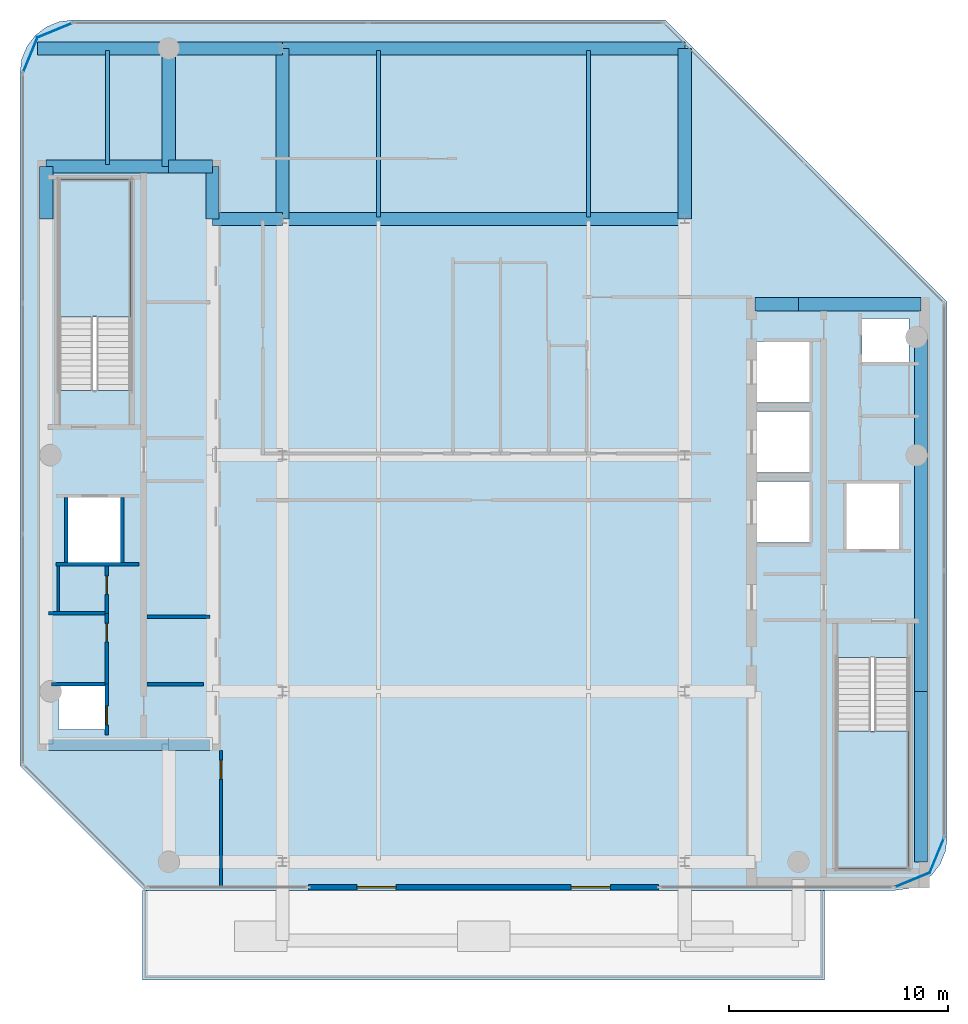
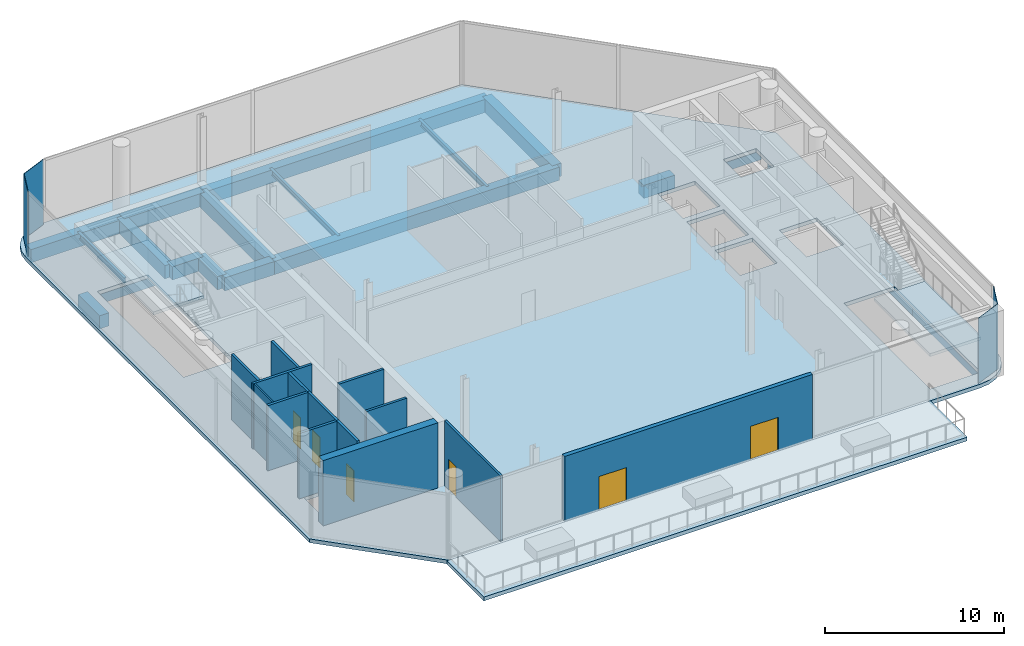
# One storey, part 3 of 14: 20 beams, 14 walls, 6 doors, 4 plates, 4 slabs, 6 openings, 2 elements without a shape of their own.
"""IFC4 building model written with IfcOpenShell, lengths in metres."""

from ifc_helpers import new_model, si_unit, direction, frame, frame_2d, origin, origin_2d, place, context, subcontext, project, spatial, polyline, rectangle, i_section, outline, extrude, material, layer, layer_set, material_profile, profile_set, type_object, element, fill, aggregate, save


model = new_model("IFC4")

# Units and contexts
model_context = context("Model", 3, precision=1e-05, world=origin(), true_north=direction((0.0, 1.0)))
body_context = subcontext(model_context, "Body", "Model", "MODEL_VIEW")
ifc_project = project(units=[si_unit("LENGTHUNIT", "METRE"), si_unit("AREAUNIT", "SQUARE_METRE"), si_unit("VOLUMEUNIT", "CUBIC_METRE"), si_unit("PLANEANGLEUNIT", "RADIAN"), si_unit("MASSUNIT", "GRAM", prefix="KILO")], contexts=[model_context])

# Site, building, storey
site_placement = place(None, origin())
site = spatial("IfcSite", under=ifc_project, at=site_placement, CompositionType="ELEMENT")
building_placement = place(site_placement, origin())
building = spatial("IfcBuilding", under=site, at=building_placement, Name="Khairoan Windgate Tower", CompositionType="ELEMENT")
storey_placement = place(building_placement, frame((0.0, 0.0, 320.39990234375)))
storey = spatial("IfcBuildingStorey", under=building, at=storey_placement, Name="L77", CompositionType="ELEMENT", Elevation=320.39990234375)

# Beams
ifc_material_1 = material(Name="Concrete C50/60", Category="concrete")
ifc_material_profile_1 = material_profile(ifc_material_1, rectangle(XDim=0.60009765625, YDim=0.89990234375, at=origin_2d()))
ifc_profile_set_1 = profile_set([ifc_material_profile_1], Name="Concrete C50/60")
beam_type_1 = type_object("IfcBeamType", Name="Beam B-RC1 RC600x900", PredefinedType="BEAM", material=ifc_profile_set_1)
beam_1_placement = place(storey_placement, frame((12.39990234375, 6.89990234375, -0.7099609375), z_axis=(1.0, 0.0, 0.0), x_axis=(0.0, 1.0, 0.0)))
element("IfcBeam", 1, at=beam_1_placement, inside=storey, type_object=beam_type_1, Name="L77 E-W Primary Girder 11", PredefinedType="BEAM", context=body_context, shape_type="SweptSolid", body=[
    extrude(rectangle(XDim=0.60009765625, YDim=0.89990234375, at=origin_2d()), origin(), (0.0, 0.0, 1.0), 2.0),
])
beam_2_placement = place(storey_placement, frame((14.39990234375, 6.89990234375, -0.7099609375), z_axis=(1.0, 0.0, 0.0), x_axis=(0.0, 1.0, 0.0)))
element("IfcBeam", 2, at=beam_2_placement, inside=storey, type_object=beam_type_1, Name="L77 E-W Primary Girder 12", PredefinedType="BEAM", context=body_context, shape_type="SweptSolid", body=[
    extrude(rectangle(XDim=0.60009765625, YDim=0.89990234375, at=origin_2d()), origin(), (0.0, 0.0, 1.0), 5.60009765625),
])
beam_3_placement = place(storey_placement, frame((-12.39990234375, 10.800048828125, -0.7099609375), z_axis=(1.0, 0.0, 0.0), x_axis=(0.0, 1.0, 0.0)))
element("IfcBeam", 3, at=beam_3_placement, inside=storey, type_object=beam_type_1, Name="L77 E-W Primary Girder 13", PredefinedType="BEAM", context=body_context, shape_type="SweptSolid", body=[
    extrude(rectangle(XDim=0.60009765625, YDim=0.89990234375, at=origin_2d()), origin(), (0.0, 0.0, 1.0), 3.199951171875),
])
beam_4_placement = place(storey_placement, frame((-9.199951171875, 10.800048828125, -0.7099609375), z_axis=(1.0, 0.0, 0.0), x_axis=(0.0, 1.0, 0.0)))
element("IfcBeam", 4, at=beam_4_placement, inside=storey, type_object=beam_type_1, Name="L77 E-W Primary Girder 14", PredefinedType="BEAM", context=body_context, shape_type="SweptSolid", body=[
    extrude(rectangle(XDim=0.60009765625, YDim=0.89990234375, at=origin_2d()), origin(), (0.0, 0.0, 1.0), 18.39990234375),
])
beam_5_placement = place(storey_placement, frame((-20.0, 13.199951171875, -0.7099609375), z_axis=(1.0, 0.0, 0.0), x_axis=(0.0, 1.0, 0.0)))
element("IfcBeam", 5, at=beam_5_placement, inside=storey, type_object=beam_type_1, Name="L77 E-W Primary Girder 15", PredefinedType="BEAM", context=body_context, shape_type="SweptSolid", body=[
    extrude(rectangle(XDim=0.60009765625, YDim=0.89990234375, at=origin_2d()), origin(), (0.0, 0.0, 1.0), 5.60009765625),
])
beam_6_placement = place(storey_placement, frame((-14.39990234375, 13.199951171875, -0.7099609375), z_axis=(1.0, 0.0, 0.0), x_axis=(0.0, 1.0, 0.0)))
element("IfcBeam", 6, at=beam_6_placement, inside=storey, type_object=beam_type_1, Name="L77 E-W Primary Girder 16", PredefinedType="BEAM", context=body_context, shape_type="SweptSolid", body=[
    extrude(rectangle(XDim=0.60009765625, YDim=0.89990234375, at=origin_2d()), origin(), (0.0, 0.0, 1.0), 2.0),
])
beam_7_placement = place(storey_placement, frame((-20.39990234375, 18.60009765625, -0.7099609375), z_axis=(1.0, 0.0, 0.0), x_axis=(0.0, 1.0, 0.0)))
element("IfcBeam", 7, at=beam_7_placement, inside=storey, type_object=beam_type_1, Name="L77 E-W Primary Girder 17", PredefinedType="BEAM", context=body_context, shape_type="SweptSolid", body=[
    extrude(rectangle(XDim=0.60009765625, YDim=0.89990234375, at=origin_2d()), origin(), (0.0, 0.0, 1.0), 6.0),
])
beam_8_placement = place(storey_placement, frame((-14.39990234375, 18.60009765625, -0.7099609375), z_axis=(1.0, 0.0, 0.0), x_axis=(0.0, 1.0, 0.0)))
element("IfcBeam", 8, at=beam_8_placement, inside=storey, type_object=beam_type_1, Name="L77 E-W Primary Girder 18", PredefinedType="BEAM", context=body_context, shape_type="SweptSolid", body=[
    extrude(rectangle(XDim=0.60009765625, YDim=0.89990234375, at=origin_2d()), origin(), (0.0, 0.0, 1.0), 5.199951171875),
])
beam_9_placement = place(storey_placement, frame((-9.199951171875, 18.60009765625, -0.7099609375), z_axis=(1.0, 0.0, 0.0), x_axis=(0.0, 1.0, 0.0)))
element("IfcBeam", 9, at=beam_9_placement, inside=storey, type_object=beam_type_1, Name="L77 E-W Primary Girder 19", PredefinedType="BEAM", context=body_context, shape_type="SweptSolid", body=[
    extrude(rectangle(XDim=0.60009765625, YDim=0.89990234375, at=origin_2d()), origin(), (0.0, 0.0, 1.0), 18.39990234375),
])
beam_10_placement = place(storey_placement, frame((-20.0, 10.800048828125, -0.7099609375), z_axis=(0.0, 1.0, 0.0), x_axis=(-1.0, 0.0, 0.0)))
element("IfcBeam", 10, at=beam_10_placement, inside=storey, type_object=beam_type_1, Name="L77 N-S Primary Beam 23", PredefinedType="BEAM", context=body_context, shape_type="SweptSolid", body=[
    extrude(rectangle(XDim=0.60009765625, YDim=0.89990234375, at=origin_2d()), origin(), (0.0, 0.0, 1.0), 2.39990234375),
])
beam_11_placement = place(storey_placement, frame((-14.39990234375, 13.199951171875, -0.7099609375), z_axis=(0.0, 1.0, 0.0), x_axis=(-1.0, 0.0, 0.0)))
element("IfcBeam", 11, at=beam_11_placement, inside=storey, type_object=beam_type_1, Name="L77 N-S Primary Beam 25", PredefinedType="BEAM", context=body_context, shape_type="SweptSolid", body=[
    extrude(rectangle(XDim=0.60009765625, YDim=0.89990234375, at=origin_2d()), origin(), (0.0, 0.0, 1.0), 5.400146484375),
])
beam_12_placement = place(storey_placement, frame((-12.39990234375, 10.800048828125, -0.7099609375), z_axis=(0.0, 1.0, 0.0), x_axis=(-1.0, 0.0, 0.0)))
element("IfcBeam", 12, at=beam_12_placement, inside=storey, type_object=beam_type_1, Name="L77 N-S Primary Beam 29", PredefinedType="BEAM", context=body_context, shape_type="SweptSolid", body=[
    extrude(rectangle(XDim=0.60009765625, YDim=0.89990234375, at=origin_2d()), origin(), (0.0, 0.0, 1.0), 2.39990234375),
])
for number, where, z_axis, x_axis, name in (
    (13, (-9.199951171875, 10.800048828125, -0.7099609375), (0.0, 1.0, 0.0), (-1.0, 0.0, 0.0), "L77 N-S Primary Beam 33"),
    (14, (9.199951171875, 10.800048828125, -0.7099609375), (0.0, 1.0, 0.0), (-1.0, 0.0, 0.0), "L77 N-S Primary Beam 37"),
    (15, (20.0, -18.60009765625, -0.7099609375), (0.0, 1.0, 0.0), (-1.0, 0.0, 0.0), "L77 N-S Primary Beam 40"),
):
    element("IfcBeam", number, at=place(storey_placement, frame(where, z_axis=z_axis, x_axis=x_axis)), inside=storey, type_object=beam_type_1, Name=name, PredefinedType="BEAM", context=body_context, shape_type="SweptSolid", body=[
        extrude(rectangle(XDim=0.60009765625, YDim=0.89990234375, at=origin_2d()), origin(), (0.0, 0.0, 1.0), 7.800048828125),
    ])
beam_13_placement = place(storey_placement, frame((20.0, -10.800048828125, -0.7099609375), z_axis=(0.0, 1.0, 0.0), x_axis=(-1.0, 0.0, 0.0)))
element("IfcBeam", 16, at=beam_13_placement, inside=storey, type_object=beam_type_1, Name="L77 N-S Primary Beam 41", PredefinedType="BEAM", context=body_context, shape_type="SweptSolid", body=[
    extrude(rectangle(XDim=0.60009765625, YDim=0.89990234375, at=origin_2d()), origin(), (0.0, 0.0, 1.0), 10.800048828125),
])
beam_14_placement = place(storey_placement, frame((20.0, 0.0, -0.7099609375), z_axis=(0.0, 1.0, 0.0), x_axis=(-1.0, 0.0, 0.0)))
element("IfcBeam", 17, at=beam_14_placement, inside=storey, type_object=beam_type_1, Name="L77 N-S Primary Beam 42", PredefinedType="BEAM", context=body_context, shape_type="SweptSolid", body=[
    extrude(rectangle(XDim=0.60009765625, YDim=0.89990234375, at=origin_2d()), origin(), (0.0, 0.0, 1.0), 5.39990234375),
])
ifc_material_2 = material(Name="Steel S355", Category="steel")
ifc_material_profile_2 = material_profile(ifc_material_2, i_section(OverallWidth=0.175048828125, OverallDepth=0.35009765625, WebThickness=0.007080078125, FlangeThickness=0.010986328125, FilletRadius=0.013916015625, at=origin_2d()))
ifc_profile_set_2 = profile_set([ifc_material_profile_2], Name="Steel S355")
beam_type_2 = type_object("IfcBeamType", Name="Beam J-S5 H350x175x7x11", PredefinedType="JOIST", material=ifc_profile_set_2)
beam_15_placement = place(storey_placement, frame((-17.199951171875, 13.2900390625, -0.434814453125), z_axis=(0.0, 1.0, 0.0), x_axis=(-1.0, 0.0, 0.0)))
element("IfcBeam", 18, at=beam_15_placement, inside=storey, type_object=beam_type_2, Name="L77 Secondary Floor Joist 01", PredefinedType="JOIST", context=body_context, shape_type="SweptSolid", body=[
    extrude(i_section(OverallWidth=0.175048828125, OverallDepth=0.35009765625, WebThickness=0.007080078125, FlangeThickness=0.010986328125, FilletRadius=0.013916015625, at=origin_2d()), origin(), (0.0, 0.0, 1.0), 5.219970703125),
])
for number, where, z_axis, x_axis, name in (
    (19, (-4.800048828125, 10.889892578125, -0.434814453125), (0.0, 1.0, 0.0), (-1.0, 0.0, 0.0), "L77 Secondary Floor Joist 05"),
    (20, (4.800048828125, 10.889892578125, -0.434814453125), (0.0, 1.0, 0.0), (-1.0, 0.0, 0.0), "L77 Secondary Floor Joist 09"),
):
    element("IfcBeam", number, at=place(storey_placement, frame(where, z_axis=z_axis, x_axis=x_axis)), inside=storey, type_object=beam_type_2, Name=name, PredefinedType="JOIST", context=body_context, shape_type="SweptSolid", body=[
        extrude(i_section(OverallWidth=0.175048828125, OverallDepth=0.35009765625, WebThickness=0.007080078125, FlangeThickness=0.010986328125, FilletRadius=0.013916015625, at=origin_2d()), origin(), (0.0, 0.0, 1.0), 7.6201171875),
    ])

# Plates
ifc_material_3 = material(Name="Low-E Solar Control Laminated Glass", Category="glass")
ifc_layer_1 = layer(ifc_material_3, 0.030029296875, Name="Low-E Solar Control Laminated Glass")
ifc_layer_set_1 = layer_set([ifc_layer_1], Name="Low-E Solar Control Laminated Glass")
plate_type = type_object("IfcPlateType", Name="Aerodynamic Wind-Corner Curved Glazing Plate", PredefinedType="USERDEFINED", material=ifc_layer_set_1)
for number, where, z_axis, x_axis, name in (
    (21, (-20.728759765625, 18.2939453125, 0.0), (0.0, 0.0, 1.0), (0.381393080575, 0.924412958633, 0.0), "L77 Aerodynamic Wind-Corner Curved Glazing Panel 4"),
    (22, (-19.593994140625, 19.4287109375, 0.0), (0.0, 0.0, 1.0), (0.924412958633, 0.381393080575, 0.0), "L77 Aerodynamic Wind-Corner Curved Glazing Panel 5"),
    (23, (20.728759765625, -18.2939453125, 0.0), (0.0, 0.0, 1.0), (-0.381393080575, -0.924412958633, 0.0), "L77 Aerodynamic Wind-Corner Curved Glazing Panel 9"),
    (24, (19.593994140625, -19.4287109375, 0.0), (0.0, 0.0, 1.0), (-0.924412958633, -0.381393080575, 0.0), "L77 Aerodynamic Wind-Corner Curved Glazing Panel 10"),
):
    element("IfcPlate", number, at=place(storey_placement, frame(where, z_axis=z_axis, x_axis=x_axis)), inside=storey, type_object=plate_type, Name=name, ObjectType="GLAZING PANEL", PredefinedType="USERDEFINED", context=body_context, shape_type="SweptSolid", body=[
        extrude(rectangle(XDim=1.77783203125, YDim=0.035888671875, at=origin_2d()), origin(), (0.0, 0.0, 1.0), 4.449951171875),
    ])

# Slab
ifc_material_4 = material(Name="Concrete C40/50", Category="concrete")
ifc_layer_2 = layer(ifc_material_4, 0.260009765625, Name="Concrete C40/50")
ifc_layer_set_2 = layer_set([ifc_layer_2], Name="Concrete C40/50")
slab_type_1 = type_object("IfcSlabType", Name="Observation Terrace Slab RS3 260mm", PredefinedType="ROOF", material=ifc_layer_set_2)
slab_1_placement = place(storey_placement, frame((0.0, 0.0, -0.260009765625)))
element("IfcSlab", 25, at=slab_1_placement, inside=storey, type_object=slab_type_1, Name="Sky Observation Lookout Terrace", PredefinedType="ROOF", context=body_context, shape_type="SweptSolid", body=[
    extrude(outline(polyline([(-15.60009765625, -24.0), (15.60009765625, -24.0), (15.60009765625, -19.89990234375), (-15.60009765625, -19.89990234375), (-15.60009765625, -24.0)])), origin(), (0.0, 0.0, 1.0), 0.260009765625),
])

# Stair, slab
ifc_material_5 = material(Name="Concrete C40/50", Category="concrete")
stair_type = type_object("IfcStairType", Name="Tower Core Dog-Leg Stair ST-T1 1560mm", PredefinedType="HALF_TURN_STAIR", material=ifc_material_5)
stair_1_placement = place(storey_placement, origin())
stair_1 = element("IfcStair", 26, at=stair_1_placement, inside=storey, type_object=stair_type, Name="L77 Stair ST1", PredefinedType="HALF_TURN_STAIR")
ifc_material_6 = material(Name="Concrete C40/50", Category="concrete")
ifc_layer_3 = layer(ifc_material_6, 0.199951171875, Name="Concrete C40/50")
ifc_layer_set_3 = layer_set([ifc_layer_3], Name="Concrete C40/50")
slab_type_2 = type_object("IfcSlabType", Name="Reinforced Concrete Stair Landing Slab STL-200", PredefinedType="LANDING", material=ifc_layer_set_3)
slab_2_placement = place(storey_placement, frame((0.0, 0.0, 2.2001953125)))
slab_2 = element("IfcSlab", 27, at=slab_2_placement, type_object=slab_type_2, Name="ST1 landing 1", PredefinedType="LANDING", context=body_context, shape_type="SweptSolid", body=[
    extrude(outline(polyline([(16.14990234375, -12.6201171875), (16.14990234375, -18.89990234375), (19.419921875, -18.89990234375), (19.419921875, -12.6201171875), (16.14990234375, -12.6201171875)])), origin(), (0.0, 0.0, 1.0), 0.199951171875),
])
aggregate(stair_1, [slab_2])

stair_2_placement = place(storey_placement, origin())
stair_2 = element("IfcStair", 28, at=stair_2_placement, inside=storey, type_object=stair_type, Name="L77 Stair ST2", PredefinedType="HALF_TURN_STAIR")
slab_3_placement = place(storey_placement, frame((0.0, 0.0, 2.2001953125)))
slab_3 = element("IfcSlab", 29, at=slab_3_placement, type_object=slab_type_2, Name="ST2 landing 1", PredefinedType="LANDING", context=body_context, shape_type="SweptSolid", body=[
    extrude(outline(polyline([(-16.14990234375, 6.320068359375), (-16.14990234375, 12.60009765625), (-19.419921875, 12.60009765625), (-19.419921875, 6.320068359375), (-16.14990234375, 6.320068359375)])), origin(), (0.0, 0.0, 1.0), 0.199951171875),
])
aggregate(stair_2, [slab_3])

# Slab
ifc_material_7 = material(Name="Concrete C40/50", Category="concrete")
ifc_layer_4 = layer(ifc_material_7, 0.260009765625, Name="Concrete C40/50")
ifc_layer_set_4 = layer_set([ifc_layer_4], Name="Concrete C40/50")
slab_type_3 = type_object("IfcSlabType", Name="Tower Composite Floor Slab FS2 260mm", PredefinedType="FLOOR", material=ifc_layer_set_4)
slab_4_placement = place(storey_placement, frame((0.0, 0.0, -0.260009765625)))
element("IfcSlab", 30, at=slab_4_placement, inside=storey, type_object=slab_type_3, Name="L77 Structural Floor Slab", PredefinedType="FLOOR", context=body_context, shape_type="SweptSolid", body=[
    extrude(outline(polyline([(18.800048828125, -19.89990234375), (19.421142578125, -19.818115234375), (20.0, -19.57861328125), (20.4970703125, -19.197021484375), (20.87841796875, -18.699951171875), (21.1181640625, -18.12109375), (21.199951171875, -17.5), (21.199951171875, 7.0), (8.300048828125, 19.89990234375), (-18.800048828125, 19.89990234375), (-19.421142578125, 19.818115234375), (-20.0, 19.57861328125), (-20.4970703125, 19.197021484375), (-20.87841796875, 18.699951171875), (-21.1181640625, 18.12109375), (-21.199951171875, 17.5), (-21.199951171875, -14.199951171875), (-15.5, -19.89990234375), (18.800048828125, -19.89990234375)]), holes=[polyline([(16.14990234375, -9.260009765625), (16.14990234375, -18.89990234375), (19.419921875, -18.89990234375), (19.419921875, -9.260009765625), (16.14990234375, -9.260009765625)]), polyline([(-16.14990234375, 2.9599609375), (-16.14990234375, 12.60009765625), (-19.419921875, 12.60009765625), (-19.419921875, 2.9599609375), (-16.14990234375, 2.9599609375)]), polyline([(12.5, 2.39990234375), (14.89990234375, 2.39990234375), (14.89990234375, 5.199951171875), (12.5, 5.199951171875), (12.5, 2.39990234375)]), polyline([(12.5, -0.800048828125), (14.89990234375, -0.800048828125), (14.89990234375, 2.0), (12.5, 2.0), (12.5, -0.800048828125)]), polyline([(12.5, -4.0), (14.89990234375, -4.0), (14.89990234375, -1.199951171875), (12.5, -1.199951171875), (12.5, -4.0)]), polyline([(16.60009765625, -4.300048828125), (19.0, -4.300048828125), (19.0, -1.300048828125), (16.60009765625, -1.300048828125), (16.60009765625, -4.300048828125)]), polyline([(-19.0, -4.89990234375), (-16.60009765625, -4.89990234375), (-16.60009765625, -1.89990234375), (-19.0, -1.89990234375), (-19.0, -4.89990234375)]), polyline([(-19.449951171875, -12.550048828125), (-17.31005859375, -12.550048828125), (-17.31005859375, -10.550048828125), (-19.449951171875, -10.550048828125), (-19.449951171875, -12.550048828125)]), polyline([(17.31005859375, 4.25), (19.449951171875, 4.25), (19.449951171875, 6.25), (17.31005859375, 6.25), (17.31005859375, 4.25)])]), origin(), (0.0, 0.0, 1.0), 0.260009765625),
])

# Walls
ifc_material_8 = material(Name="Moisture-Resistant Gypsum Partition", Category="gypsum")
ifc_layer_5 = layer(ifc_material_8, 0.10009765625, Name="Moisture-Resistant Gypsum Partition")
ifc_layer_set_5 = layer_set([ifc_layer_5], Name="Moisture-Resistant Gypsum Partition")
wall_type_1 = type_object("IfcWallType", Name="Bathroom Wet-Area Partition Wall", PredefinedType="PARTITIONING", material=ifc_layer_set_5)
wall_1_placement = place(storey_placement, frame((-19.449951171875, -7.14990234375, 0.0), z_axis=(0.0, 0.0, 1.0), x_axis=(0.0, 1.0, 0.0)))
element("IfcWall", 31, at=wall_1_placement, inside=storey, type_object=wall_type_1, Name="L77 Wet Room Side Wall 027", PredefinedType="PARTITIONING", context=body_context, shape_type="SweptSolid", body=[
    extrude(rectangle(XDim=2.08984375, YDim=0.10009765625, at=frame_2d((1.044921875, 0.0))), origin(), (0.0, 0.0, 1.0), 4.4501953125),
])
ifc_material_9 = material(Name="Concrete C40/50", Category="concrete")
ifc_layer_6 = layer(ifc_material_9, 0.159912109375, Name="Concrete C40/50")
ifc_layer_set_6 = layer_set([ifc_layer_6], Name="Concrete C40/50")
wall_type_2 = type_object("IfcWallType", Name="Core and Hoistway Enclosure Wall", PredefinedType="STANDARD", material=ifc_layer_set_6)
wall_2_placement = place(storey_placement, frame((-19.550048828125, -4.97998046875, 0.0), z_axis=(0.0, 0.0, 1.0), x_axis=(1.0, 0.0, 0.0)))
element("IfcWall", 32, at=wall_2_placement, inside=storey, type_object=wall_type_2, Name="L77 Core Shaft Wall SW-FL2B-L77", PredefinedType="STANDARD", context=body_context, shape_type="SweptSolid", body=[
    extrude(rectangle(XDim=3.800048828125, YDim=0.159912109375, at=frame_2d((1.89990234375, 0.0))), origin(), (0.0, 0.0, 1.0), 4.4501953125),
])
for number, where, z_axis, x_axis, name in (
    (33, (-19.080078125, -4.89990234375, 0.0), (0.0, 0.0, 1.0), (0.0, 1.0, 0.0), "L77 Core Shaft Wall SW-FL2W-L77"),
    (34, (-16.52001953125, -4.89990234375, 0.0), (0.0, 0.0, 1.0), (0.0, 1.0, 0.0), "L77 Core Shaft Wall SW-FL2E-L77"),
):
    element("IfcWall", number, at=place(storey_placement, frame(where, z_axis=z_axis, x_axis=x_axis)), inside=storey, type_object=wall_type_2, Name=name, PredefinedType="STANDARD", context=body_context, shape_type="SweptSolid", body=[
        extrude(rectangle(XDim=2.9599609375, YDim=0.159912109375, at=frame_2d((1.47998046875, 0.0))), origin(), (0.0, 0.0, 1.0), 4.4501953125),
    ])
wall_3_placement = place(storey_placement, frame((-15.39990234375, -10.47998046875, 0.0), z_axis=(0.0, 0.0, 1.0), x_axis=(1.0, 0.0, 0.0)))
element("IfcWall", 35, at=wall_3_placement, inside=storey, type_object=wall_type_2, Name="L77 Core Shaft Wall SW-WSV-L77", PredefinedType="STANDARD", context=body_context, shape_type="SweptSolid", body=[
    extrude(rectangle(XDim=2.599853515625, YDim=0.159912109375, at=frame_2d((1.2998046875, 0.0))), origin(), (0.0, 0.0, 1.0), 4.4501953125),
])

# Wall, openings, doors
ifc_material_10 = material(Name="Precast Concrete C40/50", Category="concrete")
ifc_layer_7 = layer(ifc_material_10, 0.260009765625, Name="Precast Concrete C40/50")
ifc_layer_set_7 = layer_set([ifc_layer_7], Name="Precast Concrete C40/50")
wall_type_3 = type_object("IfcWallType", Name="Insulated Tower Facade Wall EW2 260mm", PredefinedType="STANDARD", material=ifc_layer_set_7)
wall_4_placement = place(storey_placement, frame((8.0, -19.760009765625, 0.0), z_axis=(0.0, 0.0, 1.0), x_axis=(-1.0, 0.0, 0.0)))
wall_4 = element("IfcWall", 36, at=wall_4_placement, inside=storey, type_object=wall_type_3, Name="L77 Observation Terrace Access Wall", PredefinedType="STANDARD", context=body_context, shape_type="SweptSolid", body=[
    extrude(rectangle(XDim=16.0, YDim=0.260009765625, at=frame_2d((8.0, 0.0))), origin(), (0.0, 0.0, 1.0), 4.4501953125),
])
opening_1_placement = place(wall_4_placement, frame((2.199951171875, 0.0, 0.0)))
opening_1 = element("IfcOpeningElement", 37, at=opening_1_placement, cuts=wall_4, Name="Opening TD1", PredefinedType="OPENING", context=body_context, shape_type="SweptSolid", body=[
    extrude(rectangle(XDim=1.800048828125, YDim=2.300048828125, at=frame_2d((0.89990234375, 1.14990234375))), frame((0.0, 0.139892578125, 0.0), z_axis=(0.0, -1.0, 0.0), x_axis=(1.0, 0.0, 0.0)), (0.0, 0.0, 1.0), 0.280029296875),
])
opening_2_placement = place(wall_4_placement, frame((12.0, 0.0, 0.0)))
opening_2 = element("IfcOpeningElement", 38, at=opening_2_placement, cuts=wall_4, Name="Opening TD1", PredefinedType="OPENING", context=body_context, shape_type="SweptSolid", body=[
    extrude(rectangle(XDim=1.800048828125, YDim=2.300048828125, at=frame_2d((0.89990234375, 1.14990234375))), frame((0.0, 0.139892578125, 0.0), z_axis=(0.0, -1.0, 0.0), x_axis=(1.0, 0.0, 0.0)), (0.0, 0.0, 1.0), 0.280029296875),
])
ifc_material_11 = material(Name="Anodised Bronze Aluminium 6063-T6", Category="aluminium")
door_type_1 = type_object("IfcDoorType", Name="Glazed Double Terrace Door TD-1800", OperationType="DOUBLE_DOOR_SINGLE_SWING", PredefinedType="DOOR", material=ifc_material_11)
door_1_placement = place(opening_1_placement, origin())
door_1 = element("IfcDoor", 39, at=door_1_placement, inside=storey, type_object=door_type_1, Name="L77 Sky Observation Terrace Door TD-03", OperationType="DOUBLE_DOOR_SINGLE_SWING", OverallHeight=2.300048828125, OverallWidth=1.800048828125, PredefinedType="DOOR", context=body_context, shape_type="SweptSolid", body=[
    extrude(rectangle(XDim=1.800048828125, YDim=2.300048828125, at=frame_2d((0.89990234375, 1.14990234375))), frame((0.0, 0.02490234375, 0.0), z_axis=(0.0, -1.0, 0.0), x_axis=(1.0, 0.0, 0.0)), (0.0, 0.0, 1.0), 0.050048828125),
])
fill(opening_1, door_1)
door_2_placement = place(opening_2_placement, origin())
door_2 = element("IfcDoor", 40, at=door_2_placement, inside=storey, type_object=door_type_1, Name="L77 Sky Observation Terrace Door TD-04", OperationType="DOUBLE_DOOR_SINGLE_SWING", OverallHeight=2.300048828125, OverallWidth=1.800048828125, PredefinedType="DOOR", context=body_context, shape_type="SweptSolid", body=[
    extrude(rectangle(XDim=1.800048828125, YDim=2.300048828125, at=frame_2d((0.89990234375, 1.14990234375))), frame((0.0, 0.02490234375, 0.0), z_axis=(0.0, -1.0, 0.0), x_axis=(1.0, 0.0, 0.0)), (0.0, 0.0, 1.0), 0.050048828125),
])
fill(opening_2, door_2)

# Wall, opening, door
ifc_material_12 = material(Name="Acoustic Fire-Rated Gypsum Partition", Category="gypsum")
ifc_layer_8 = layer(ifc_material_12, 0.139892578125, Name="Acoustic Fire-Rated Gypsum Partition")
ifc_layer_set_8 = layer_set([ifc_layer_8], Name="Acoustic Fire-Rated Gypsum Partition")
wall_type_4 = type_object("IfcWallType", Name="Inter-Tenancy Compartment Wall", PredefinedType="PARTITIONING", material=ifc_layer_set_8)
wall_5_placement = place(storey_placement, frame((-12.010009765625, -19.7548828125, 0.0), z_axis=(0.0, 0.0, 1.0), x_axis=(0.0, 1.0, 0.0)))
wall_5 = element("IfcWall", 41, at=wall_5_placement, inside=storey, type_object=wall_type_4, Name="L77 Interior Partition 020", PredefinedType="PARTITIONING", context=body_context, shape_type="SweptSolid", body=[
    extrude(rectangle(XDim=6.2548828125, YDim=0.139892578125, at=frame_2d((3.12744140625, 0.0))), origin(), (0.0, 0.0, 1.0), 4.4501953125),
])
opening_3_placement = place(wall_5_placement, frame((4.945068359375, 0.0, 0.0)))
opening_3 = element("IfcOpeningElement", 42, at=opening_3_placement, cuts=wall_5, Name="Opening FD-SRV", PredefinedType="OPENING", context=body_context, shape_type="SweptSolid", body=[
    extrude(rectangle(XDim=0.85009765625, YDim=2.10009765625, at=frame_2d((0.425048828125, 1.050048828125))), frame((0.0, 0.079833984375, 0.0), z_axis=(0.0, -1.0, 0.0), x_axis=(1.0, 0.0, 0.0)), (0.0, 0.0, 1.0), 0.159912109375),
])
ifc_material_13 = material(Name="Steel S355", Category="steel")
door_type_2 = type_object("IfcDoorType", Name="Core Service and Riser Fire Door FD-SRV 850x2100", OperationType="NOTDEFINED", PredefinedType="DOOR", material=ifc_material_13)
door_3_placement = place(opening_3_placement, origin())
door_3 = element("IfcDoor", 43, at=door_3_placement, inside=storey, type_object=door_type_2, Name="L77 L77-30-L77-35 Door", OperationType="SINGLE_SWING_RIGHT", OverallHeight=2.10009765625, OverallWidth=0.85009765625, PredefinedType="DOOR", context=body_context, shape_type="SweptSolid", body=[
    extrude(rectangle(XDim=0.85009765625, YDim=2.10009765625, at=frame_2d((0.425048828125, 1.050048828125))), frame((0.0, 0.02490234375, 0.0), z_axis=(0.0, -1.0, 0.0), x_axis=(1.0, 0.0, 0.0)), (0.0, 0.0, 1.0), 0.050048828125),
])
fill(opening_3, door_3)

ifc_material_14 = material(Name="Concrete C40/50", Category="concrete")
ifc_layer_9 = layer(ifc_material_14, 0.159912109375, Name="Concrete C40/50")
ifc_layer_set_9 = layer_set([ifc_layer_9], Name="Concrete C40/50")
wall_type_5 = type_object("IfcWallType", Name="Plant and Refuge Compartment Wall", PredefinedType="PARTITIONING", material=ifc_layer_set_9)
wall_6_placement = place(storey_placement, frame((-17.22998046875, -12.7900390625, 0.0), z_axis=(0.0, 0.0, 1.0), x_axis=(0.0, 1.0, 0.0)))
wall_6 = element("IfcWall", 44, at=wall_6_placement, inside=storey, type_object=wall_type_5, Name="L77 Interior Partition 001", PredefinedType="PARTITIONING", context=body_context, shape_type="SweptSolid", body=[
    extrude(rectangle(XDim=2.320068359375, YDim=0.159912109375, at=frame_2d((1.16015625, 0.0))), origin(), (0.0, 0.0, 1.0), 4.4501953125),
])
opening_4_placement = place(wall_6_placement, frame((0.4599609375, 0.0, 0.0)))
opening_4 = element("IfcOpeningElement", 45, at=opening_4_placement, cuts=wall_6, Name="Opening FD-SRV", PredefinedType="OPENING", context=body_context, shape_type="SweptSolid", body=[
    extrude(rectangle(XDim=0.85009765625, YDim=2.10009765625, at=frame_2d((0.425048828125, 1.050048828125))), frame((0.0, 0.08984375, 0.0), z_axis=(0.0, -1.0, 0.0), x_axis=(1.0, 0.0, 0.0)), (0.0, 0.0, 1.0), 0.179931640625),
])
door_4_placement = place(opening_4_placement, origin())
door_4 = element("IfcDoor", 46, at=door_4_placement, inside=storey, type_object=door_type_2, Name="L77 L77-04-L77-05 Door", OperationType="SINGLE_SWING_LEFT", OverallHeight=2.10009765625, OverallWidth=0.85009765625, PredefinedType="DOOR", context=body_context, shape_type="SweptSolid", body=[
    extrude(rectangle(XDim=0.85009765625, YDim=2.10009765625, at=frame_2d((0.425048828125, 1.050048828125))), frame((0.0, 0.02490234375, 0.0), z_axis=(0.0, -1.0, 0.0), x_axis=(1.0, 0.0, 0.0)), (0.0, 0.0, 1.0), 0.050048828125),
])
fill(opening_4, door_4)

wall_7_placement = place(storey_placement, frame((-17.22998046875, -7.22998046875, 0.0), z_axis=(0.0, 0.0, 1.0), x_axis=(0.0, 1.0, 0.0)))
wall_7 = element("IfcWall", 47, at=wall_7_placement, inside=storey, type_object=wall_type_5, Name="L77 Interior Partition 002", PredefinedType="PARTITIONING", context=body_context, shape_type="SweptSolid", body=[
    extrude(rectangle(XDim=2.169921875, YDim=0.159912109375, at=frame_2d((1.0849609375, 0.0))), origin(), (0.0, 0.0, 1.0), 4.4501953125),
])
opening_5_placement = place(wall_7_placement, frame((0.860107421875, 0.0, 0.0)))
opening_5 = element("IfcOpeningElement", 48, at=opening_5_placement, cuts=wall_7, Name="Opening FD-SRV", PredefinedType="OPENING", context=body_context, shape_type="SweptSolid", body=[
    extrude(rectangle(XDim=0.85009765625, YDim=2.10009765625, at=frame_2d((0.425048828125, 1.050048828125))), frame((0.0, 0.08984375, 0.0), z_axis=(0.0, -1.0, 0.0), x_axis=(1.0, 0.0, 0.0)), (0.0, 0.0, 1.0), 0.179931640625),
])
door_5_placement = place(opening_5_placement, origin())
door_5 = element("IfcDoor", 49, at=door_5_placement, inside=storey, type_object=door_type_2, Name="L77 L77-04-L77-06 Door", OperationType="SINGLE_SWING_RIGHT", OverallHeight=2.10009765625, OverallWidth=0.85009765625, PredefinedType="DOOR", context=body_context, shape_type="SweptSolid", body=[
    extrude(rectangle(XDim=0.85009765625, YDim=2.10009765625, at=frame_2d((0.425048828125, 1.050048828125))), frame((0.0, 0.02490234375, 0.0), z_axis=(0.0, -1.0, 0.0), x_axis=(1.0, 0.0, 0.0)), (0.0, 0.0, 1.0), 0.050048828125),
])
fill(opening_5, door_5)

wall_8_placement = place(storey_placement, frame((-17.22998046875, -10.469970703125, 0.0), z_axis=(0.0, 0.0, 1.0), x_axis=(0.0, 1.0, 0.0)))
wall_8 = element("IfcWall", 50, at=wall_8_placement, inside=storey, type_object=wall_type_5, Name="L77 Interior Partition 003", PredefinedType="PARTITIONING", context=body_context, shape_type="SweptSolid", body=[
    extrude(rectangle(XDim=3.239990234375, YDim=0.159912109375, at=frame_2d((1.6201171875, 0.0))), origin(), (0.0, 0.0, 1.0), 4.4501953125),
])
opening_6_placement = place(wall_8_placement, frame((1.929931640625, 0.0, 0.0)))
opening_6 = element("IfcOpeningElement", 51, at=opening_6_placement, cuts=wall_8, Name="Opening FD-SRV", PredefinedType="OPENING", context=body_context, shape_type="SweptSolid", body=[
    extrude(rectangle(XDim=0.85009765625, YDim=2.10009765625, at=frame_2d((0.425048828125, 1.050048828125))), frame((0.0, 0.08984375, 0.0), z_axis=(0.0, -1.0, 0.0), x_axis=(1.0, 0.0, 0.0)), (0.0, 0.0, 1.0), 0.179931640625),
])
door_6_placement = place(opening_6_placement, origin())
door_6 = element("IfcDoor", 52, at=door_6_placement, inside=storey, type_object=door_type_2, Name="L77 L77-04-L77-07 Door", OperationType="SINGLE_SWING_LEFT", OverallHeight=2.10009765625, OverallWidth=0.85009765625, PredefinedType="DOOR", context=body_context, shape_type="SweptSolid", body=[
    extrude(rectangle(XDim=0.85009765625, YDim=2.10009765625, at=frame_2d((0.425048828125, 1.050048828125))), frame((0.0, 0.02490234375, 0.0), z_axis=(0.0, -1.0, 0.0), x_axis=(1.0, 0.0, 0.0)), (0.0, 0.0, 1.0), 0.050048828125),
])
fill(opening_6, door_6)

# Walls
wall_9_placement = place(storey_placement, frame((-19.75, -10.469970703125, 0.0), z_axis=(0.0, 0.0, 1.0), x_axis=(1.0, 0.0, 0.0)))
element("IfcWall", 53, at=wall_9_placement, inside=storey, type_object=wall_type_5, Name="L77 Interior Partition 004", PredefinedType="PARTITIONING", context=body_context, shape_type="SweptSolid", body=[
    extrude(rectangle(XDim=2.43994140625, YDim=0.159912109375, at=frame_2d((1.219970703125, 0.0))), origin(), (0.0, 0.0, 1.0), 4.4501953125),
])
wall_10_placement = place(storey_placement, frame((-19.89990234375, -7.22998046875, 0.0), z_axis=(0.0, 0.0, 1.0), x_axis=(1.0, 0.0, 0.0)))
element("IfcWall", 54, at=wall_10_placement, inside=storey, type_object=wall_type_5, Name="L77 Interior Partition 005", PredefinedType="PARTITIONING", context=body_context, shape_type="SweptSolid", body=[
    extrude(rectangle(XDim=2.58984375, YDim=0.159912109375, at=frame_2d((1.294921875, 0.0))), origin(), (0.0, 0.0, 1.0), 4.4501953125),
])
wall_11_placement = place(storey_placement, frame((-15.39990234375, -7.39990234375, 0.0), z_axis=(0.0, 0.0, 1.0), x_axis=(1.0, 0.0, 0.0)))
element("IfcWall", 55, at=wall_11_placement, inside=storey, type_object=wall_type_5, Name="L77 Interior Partition 007", PredefinedType="PARTITIONING", context=body_context, shape_type="SweptSolid", body=[
    extrude(rectangle(XDim=2.89990234375, YDim=0.159912109375, at=frame_2d((1.449951171875, 0.0))), origin(), (0.0, 0.0, 1.0), 4.4501953125),
])
ifc_material_15 = material(Name="Concrete C50/60", Category="concrete")
ifc_layer_10 = layer(ifc_material_15, 0.5, Name="Concrete C50/60")
ifc_layer_set_10 = layer_set([ifc_layer_10], Name="Concrete C50/60")
wall_type_6 = type_object("IfcWallType", Name="Shear Wall CW-W3 500mm", PredefinedType="SHEAR", material=ifc_layer_set_10)
wall_12_placement = place(storey_placement, frame((-19.89990234375, -13.25, 0.0), z_axis=(0.0, 0.0, 1.0), x_axis=(1.0, 0.0, 0.0)))
element("IfcWall", 56, at=wall_12_placement, inside=storey, type_object=wall_type_6, Name="W Core South Shear Wall L77", PredefinedType="SHEAR", context=body_context, shape_type="SweptSolid", body=[
    extrude(rectangle(XDim=7.39990234375, YDim=0.5, at=frame_2d((3.699951171875, 0.0))), origin(), (0.0, 0.0, 1.0), 4.4501953125),
])

save(model, "model.ifc")
